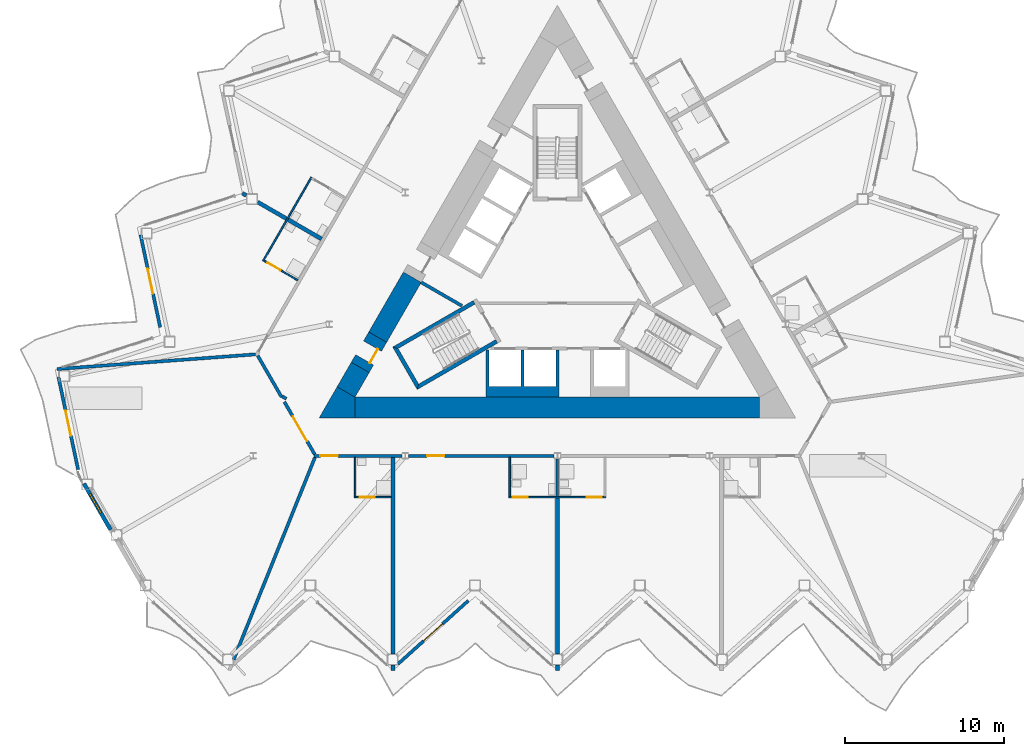
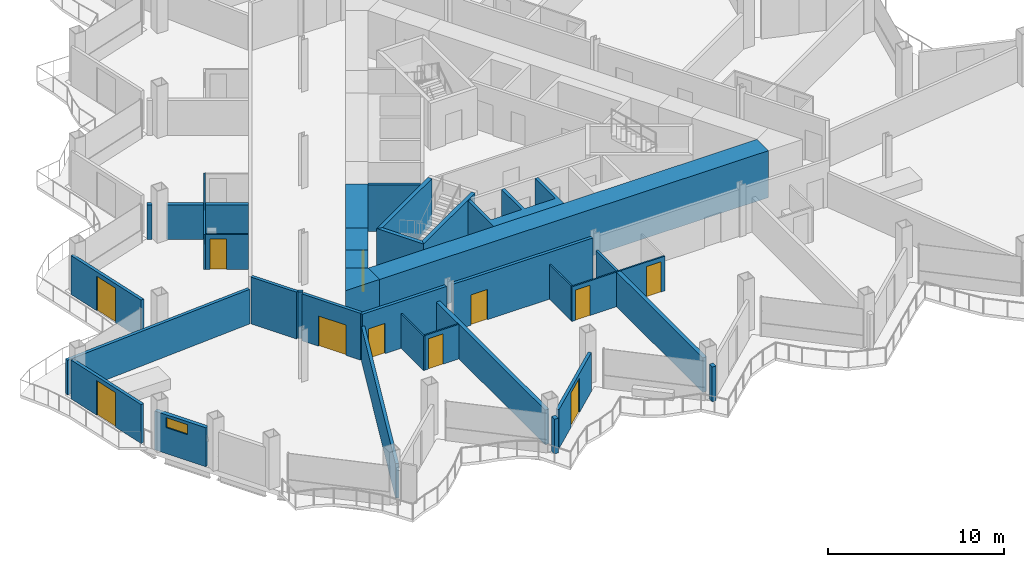
# One storey, part 11 of 24: 34 walls, 11 doors, 1 window, 12 openings.
"""IFC4 building model written with IfcOpenShell, lengths in metres."""

from ifc_helpers import new_model, si_unit, direction, frame, frame_2d, origin, place, context, subcontext, project, spatial, polyline, rectangle, outline, extrude, material, layer, layer_set, type_object, element, fill, save


model = new_model("IFC4")

# Units and contexts
model_context = context("Model", 3, precision=1e-05, world=origin(), true_north=direction((0.0, 1.0)))
body_context = subcontext(model_context, "Body", "Model", "MODEL_VIEW")
ifc_project = project(units=[si_unit("LENGTHUNIT", "METRE"), si_unit("AREAUNIT", "SQUARE_METRE"), si_unit("VOLUMEUNIT", "CUBIC_METRE"), si_unit("PLANEANGLEUNIT", "RADIAN"), si_unit("MASSUNIT", "GRAM", prefix="KILO")], contexts=[model_context])

# Site, building, storey
site_placement = place(None, origin())
site = spatial("IfcSite", under=ifc_project, at=site_placement, CompositionType="ELEMENT")
building_placement = place(site_placement, origin())
building = spatial("IfcBuilding", under=site, at=building_placement, Name="Cormorant Prow Tower", CompositionType="ELEMENT")
storey_placement = place(building_placement, frame((0.0, 0.0, 234.60009765625)))
storey = spatial("IfcBuildingStorey", under=building, at=storey_placement, Name="L51", CompositionType="ELEMENT", Elevation=234.60009765625)

# Walls
ifc_material_1 = material(Name="Concrete 8000 psi", Category="concrete")
ifc_layer_1 = layer(ifc_material_1, 1.300048828125)
ifc_layer_set_1 = layer_set([ifc_layer_1], Name="Concrete 8000 psi")
wall_type_1 = type_object("IfcWallType", Name="Core shear wall 1300", PredefinedType="SHEAR", material=ifc_layer_set_1)
wall_1_placement = place(storey_placement, frame((-12.748291015625, -8.01025390625, 0.0), z_axis=(0.0, 0.0, 1.0), x_axis=(1.0, 0.0, 0.0)))
element("IfcWall", 1, at=wall_1_placement, inside=storey, type_object=wall_type_1, Name="Core wall", PredefinedType="SHEAR", context=body_context, shape_type="SweptSolid", body=[
    extrude(rectangle(XDim=25.49658203125, YDim=1.300048828125, at=frame_2d((12.748291015625, 0.0))), origin(), (0.0, 0.0, 1.0), 3.25),
])
wall_2_placement = place(storey_placement, frame((-9.13720703125, 0.194580078125, 0.0), z_axis=(0.0, 0.0, 1.0), x_axis=(-0.499985697398, -0.866033661238, 0.0)))
element("IfcWall", 2, at=wall_2_placement, inside=storey, type_object=wall_type_1, Name="Core wall", PredefinedType="SHEAR", context=body_context, shape_type="SweptSolid", body=[
    extrude(rectangle(XDim=4.362060546875, YDim=1.300048828125, at=frame_2d((2.18115234375, 0.0))), origin(), (0.0, 0.0, 1.0), 3.25),
])
wall_3_placement = place(storey_placement, frame((-12.418212890625, -5.48828125, 0.0), z_axis=(0.0, 0.0, 1.0), x_axis=(-0.499931460552, -0.866064971437, 0.0)))
element("IfcWall", 3, at=wall_3_placement, inside=storey, type_object=wall_type_1, Name="Core wall", PredefinedType="SHEAR", context=body_context, shape_type="SweptSolid", body=[
    extrude(rectangle(XDim=1.786376953125, YDim=1.300048828125, at=frame_2d((0.89306640625, 0.0))), origin(), (0.0, 0.0, 1.0), 3.25),
])
wall_4_placement = place(storey_placement, origin())
element("IfcWall", 4, at=wall_4_placement, inside=storey, type_object=wall_type_1, Name="Core wall corner", PredefinedType="SHEAR", context=body_context, shape_type="SweptSolid", body=[
    extrude(outline(polyline([(-13.874267578125, -6.710205078125), (-12.748291015625, -7.3603515625), (-12.748291015625, -8.660400390625), (-15.0, -8.660400390625), (-13.874267578125, -6.710205078125)])), origin(), (0.0, 0.0, 1.0), 3.25),
])

# Wall, opening, door
wall_5_placement = place(storey_placement, frame((-11.318115234375, -3.5830078125, 0.0), z_axis=(0.0, 0.0, 1.0), x_axis=(-0.50002983664, -0.866008176907, 0.0)))
wall_5 = element("IfcWall", 5, at=wall_5_placement, inside=storey, type_object=wall_type_1, Name="Core wall door panel", PredefinedType="SHEAR", context=body_context, shape_type="SweptSolid", body=[
    extrude(rectangle(XDim=2.199951171875, YDim=1.300048828125, at=frame_2d((1.10009765625, 0.0))), origin(), (0.0, 0.0, 1.0), 3.25),
])
opening_1_placement = place(wall_5_placement, frame((0.64990234375, 0.0, 0.0)))
opening_1 = element("IfcOpeningElement", 6, at=opening_1_placement, cuts=wall_5, Name="Opening L51-C14", PredefinedType="OPENING", context=body_context, shape_type="SweptSolid", body=[
    extrude(rectangle(XDim=1.0, YDim=2.10009765625, at=frame_2d((0.5, 1.050048828125))), frame((0.0, 0.659912109375, 0.0), z_axis=(0.0, -1.0, 0.0), x_axis=(1.0, 0.0, 0.0)), (0.0, 0.0, 1.0), 1.320068359375),
])
ifc_material_2 = material(Name="Painted steel", Category="steel")
door_type_1 = type_object("IfcDoorType", Name="Service door 1000x2100", OperationType="NOTDEFINED", PredefinedType="DOOR", material=ifc_material_2)
door_1_placement = place(opening_1_placement, origin())
door_1 = element("IfcDoor", 7, at=door_1_placement, inside=storey, type_object=door_type_1, Name="Core door, Housekeeping store", OperationType="SINGLE_SWING_LEFT", OverallHeight=2.10009765625, OverallWidth=1.0, PredefinedType="DOOR", context=body_context, shape_type="SweptSolid", body=[
    extrude(rectangle(XDim=1.0, YDim=2.10009765625, at=frame_2d((0.5, 1.050048828125))), frame((0.0, 0.40478515625, 0.0), z_axis=(0.0, -1.0, 0.0), x_axis=(1.0, 0.0, 0.0)), (0.0, 0.0, 1.0), 0.050048828125),
])
fill(opening_1, door_1)

ifc_material_3 = material(Name="Gypsum board corridor wall")
ifc_layer_2 = layer(ifc_material_3, 0.199951171875)
ifc_layer_set_2 = layer_set([ifc_layer_2], Name="Gypsum board corridor wall")
wall_type_2 = type_object("IfcWallType", Name="Corridor wall 200", PredefinedType="PARTITIONING", material=ifc_layer_set_2)
wall_6_placement = place(storey_placement, frame((-9.368896484375, -11.060302734375, 0.0), z_axis=(0.0, 0.0, 1.0), x_axis=(1.0, 0.0, 0.0)))
wall_6 = element("IfcWall", 8, at=wall_6_placement, inside=storey, type_object=wall_type_2, Name="Corridor wall", PredefinedType="PARTITIONING", context=body_context, shape_type="SweptSolid", body=[
    extrude(rectangle(XDim=9.159423828125, YDim=0.199951171875, at=frame_2d((4.57958984375, 0.0))), origin(), (0.0, 0.0, 1.0), 3.25),
])
opening_2_placement = place(wall_6_placement, frame((1.1572265625, 0.0, 0.0)))
opening_2 = element("IfcOpeningElement", 9, at=opening_2_placement, cuts=wall_6, Name="Opening L51-F03", PredefinedType="OPENING", context=body_context, shape_type="SweptSolid", body=[
    extrude(rectangle(XDim=1.10009765625, YDim=2.10009765625, at=frame_2d((0.550048828125, 1.050048828125))), frame((0.0, 0.10986328125, 0.0), z_axis=(0.0, -1.0, 0.0), x_axis=(1.0, 0.0, 0.0)), (0.0, 0.0, 1.0), 0.219970703125),
])
ifc_material_4 = material(Name="Timber door leaf", Category="wood")
door_type_2 = type_object("IfcDoorType", Name="Suite entrance door 1100x2100", OperationType="NOTDEFINED", PredefinedType="DOOR", material=ifc_material_4)
door_2_placement = place(opening_2_placement, origin())
door_2 = element("IfcDoor", 10, at=door_2_placement, inside=storey, type_object=door_type_2, Name="Junior suite door", OperationType="SINGLE_SWING_LEFT", OverallHeight=2.10009765625, OverallWidth=1.10009765625, PredefinedType="DOOR", context=body_context, shape_type="SweptSolid", body=[
    extrude(rectangle(XDim=1.10009765625, YDim=2.10009765625, at=frame_2d((0.550048828125, 1.050048828125))), frame((0.0, 0.02490234375, 0.0), z_axis=(0.0, -1.0, 0.0), x_axis=(1.0, 0.0, 0.0)), (0.0, 0.0, 1.0), 0.050048828125),
])
fill(opening_2, door_2)

wall_7_placement = place(storey_placement, frame((-15.330810546875, -11.060302734375, 0.0), z_axis=(0.0, 0.0, 1.0), x_axis=(1.0, 0.0, 0.0)))
wall_7 = element("IfcWall", 11, at=wall_7_placement, inside=storey, type_object=wall_type_2, Name="Corridor wall", PredefinedType="PARTITIONING", context=body_context, shape_type="SweptSolid", body=[
    extrude(rectangle(XDim=5.542724609375, YDim=0.199951171875, at=frame_2d((2.771484375, 0.0))), origin(), (0.0, 0.0, 1.0), 3.25),
])
opening_3_placement = place(wall_7_placement, frame((0.403076171875, 0.0, 0.0)))
opening_3 = element("IfcOpeningElement", 12, at=opening_3_placement, cuts=wall_7, Name="Opening L51-F01", PredefinedType="OPENING", context=body_context, shape_type="SweptSolid", body=[
    extrude(rectangle(XDim=1.10009765625, YDim=2.10009765625, at=frame_2d((0.550048828125, 1.050048828125))), frame((0.0, 0.10986328125, 0.0), z_axis=(0.0, -1.0, 0.0), x_axis=(1.0, 0.0, 0.0)), (0.0, 0.0, 1.0), 0.219970703125),
])
door_3_placement = place(opening_3_placement, origin())
door_3 = element("IfcDoor", 13, at=door_3_placement, inside=storey, type_object=door_type_2, Name="Junior suite door", OperationType="SINGLE_SWING_LEFT", OverallHeight=2.10009765625, OverallWidth=1.10009765625, PredefinedType="DOOR", context=body_context, shape_type="SweptSolid", body=[
    extrude(rectangle(XDim=1.10009765625, YDim=2.10009765625, at=frame_2d((0.550048828125, 1.050048828125))), frame((0.0, 0.02490234375, 0.0), z_axis=(0.0, -1.0, 0.0), x_axis=(1.0, 0.0, 0.0)), (0.0, 0.0, 1.0), 0.050048828125),
])
fill(opening_3, door_3)

wall_8_placement = place(storey_placement, frame((-17.19384765625, -7.660400390625, 0.0), z_axis=(0.0, 0.0, 1.0), x_axis=(0.499989446428, -0.866031496806, 0.0)))
wall_8 = element("IfcWall", 14, at=wall_8_placement, inside=storey, type_object=wall_type_2, Name="Corridor wall", PredefinedType="PARTITIONING", context=body_context, shape_type="SweptSolid", body=[
    extrude(rectangle(XDim=3.82568359375, YDim=0.199951171875, at=frame_2d((1.912841796875, 0.0))), origin(), (0.0, 0.0, 1.0), 3.25),
])
opening_4_placement = place(wall_8_placement, frame((1.06396484375, 0.0, 0.0)))
opening_4 = element("IfcOpeningElement", 15, at=opening_4_placement, cuts=wall_8, Name="Opening L51-F26", PredefinedType="OPENING", context=body_context, shape_type="SweptSolid", body=[
    extrude(rectangle(XDim=1.800048828125, YDim=2.10009765625, at=frame_2d((0.89990234375, 1.050048828125))), frame((0.0, 0.10986328125, 0.0), z_axis=(0.0, -1.0, 0.0), x_axis=(1.0, 0.0, 0.0)), (0.0, 0.0, 1.0), 0.219970703125),
])
ifc_material_5 = material(Name="Timber door leaf", Category="wood")
door_type_3 = type_object("IfcDoorType", Name="Double door 1800x2100", OperationType="DOUBLE_DOOR_SINGLE_SWING", PredefinedType="DOOR", material=ifc_material_5)
door_4_placement = place(opening_4_placement, origin())
door_4 = element("IfcDoor", 16, at=door_4_placement, inside=storey, type_object=door_type_3, Name="Co-working space door", OperationType="DOUBLE_DOOR_SINGLE_SWING", OverallHeight=2.10009765625, OverallWidth=1.800048828125, PredefinedType="DOOR", context=body_context, shape_type="SweptSolid", body=[
    extrude(rectangle(XDim=1.800048828125, YDim=2.10009765625, at=frame_2d((0.89990234375, 1.050048828125))), frame((0.0, 0.02490234375, 0.0), z_axis=(0.0, -1.0, 0.0), x_axis=(1.0, 0.0, 0.0)), (0.0, 0.0, 1.0), 0.050048828125),
])
fill(opening_4, door_4)

# Walls
wall_9_placement = place(storey_placement, frame((-18.8759765625, -4.746826171875, 0.0), z_axis=(0.0, 0.0, 1.0), x_axis=(0.499952404951, -0.866052881055, 0.0)))
element("IfcWall", 17, at=wall_9_placement, inside=storey, type_object=wall_type_2, Name="Corridor wall", PredefinedType="PARTITIONING", context=body_context, shape_type="SweptSolid", body=[
    extrude(rectangle(XDim=3.002197265625, YDim=0.199951171875, at=frame_2d((1.5009765625, 0.0))), origin(), (0.0, 0.0, 1.0), 3.25),
])
wall_10_placement = place(storey_placement, frame((-17.33837890625, -7.310302734375, 0.0), z_axis=(0.0, 0.0, 1.0), x_axis=(0.866054481515, -0.499949632511, 0.0)))
element("IfcWall", 18, at=wall_10_placement, inside=storey, type_object=wall_type_2, Name="Corridor wall", PredefinedType="PARTITIONING", context=body_context, shape_type="SweptSolid", body=[
    extrude(rectangle(XDim=0.31005859375, YDim=0.199951171875, at=frame_2d((0.155029296875, 0.0))), origin(), (0.0, 0.0, 1.0), 3.25),
])
ifc_material_6 = material(Name="Gypsum board demising wall")
ifc_layer_3 = layer(ifc_material_6, 0.199951171875)
ifc_layer_set_3 = layer_set([ifc_layer_3], Name="Gypsum board demising wall")
wall_type_3 = type_object("IfcWallType", Name="Demising wall 200", PredefinedType="PARTITIONING", material=ifc_layer_set_3)
wall_11_placement = place(storey_placement, frame((-20.39306640625, -23.89697265625, 0.0), z_axis=(0.0, 0.0, 1.0), x_axis=(0.373096979113, 0.927792349708, 0.0)))
element("IfcWall", 19, at=wall_11_placement, inside=storey, type_object=wall_type_3, Name="Demising wall", PredefinedType="PARTITIONING", context=body_context, shape_type="SweptSolid", body=[
    extrude(rectangle(XDim=13.73583984375, YDim=0.199951171875, at=frame_2d((6.867919921875, 0.0))), origin(), (0.0, 0.0, 1.0), 2.404052734375),
])
wall_12_placement = place(storey_placement, frame((-31.51806640625, -5.589599609375, 0.0), z_axis=(0.0, 0.0, 1.0), x_axis=(0.99728681237, 0.073613951618, 0.0)))
element("IfcWall", 20, at=wall_12_placement, inside=storey, type_object=wall_type_3, Name="Demising wall", PredefinedType="PARTITIONING", context=body_context, shape_type="SweptSolid", body=[
    extrude(rectangle(XDim=12.5263671875, YDim=0.199951171875, at=frame_2d((6.26318359375, 0.0))), origin(), (0.0, 0.0, 1.0), 2.404052734375),
])

# Wall, openings, doors
ifc_material_7 = material(Name="Gypsum board partition")
ifc_layer_4 = layer(ifc_material_7, 0.10009765625)
ifc_layer_set_4 = layer_set([ifc_layer_4], Name="Gypsum board partition")
wall_type_4 = type_object("IfcWallType", Name="Internal partition 100", PredefinedType="PARTITIONING", material=ifc_layer_set_4)
wall_13_placement = place(storey_placement, frame((-3.050048828125, -13.660400390625, 0.0), z_axis=(0.0, 0.0, 1.0), x_axis=(1.0, 0.0, 0.0)))
wall_13 = element("IfcWall", 21, at=wall_13_placement, inside=storey, type_object=wall_type_4, Name="Internal partition", PredefinedType="PARTITIONING", context=body_context, shape_type="SweptSolid", body=[
    extrude(rectangle(XDim=6.10009765625, YDim=0.10009765625, at=frame_2d((3.050048828125, 0.0))), origin(), (0.0, 0.0, 1.0), 2.404052734375),
])
opening_5_placement = place(wall_13_placement, frame((0.25, 0.0, 0.0)))
opening_5 = element("IfcOpeningElement", 22, at=opening_5_placement, cuts=wall_13, Name="Opening L51-F04", PredefinedType="OPENING", context=body_context, shape_type="SweptSolid", body=[
    extrude(rectangle(XDim=0.949951171875, YDim=2.10009765625, at=frame_2d((0.47509765625, 1.050048828125))), frame((0.0, 0.06005859375, 0.0), z_axis=(0.0, -1.0, 0.0), x_axis=(1.0, 0.0, 0.0)), (0.0, 0.0, 1.0), 0.1201171875),
])
opening_6_placement = place(wall_13_placement, frame((4.89990234375, 0.0, 0.0)))
opening_6 = element("IfcOpeningElement", 23, at=opening_6_placement, cuts=wall_13, Name="Opening L51-F06", PredefinedType="OPENING", context=body_context, shape_type="SweptSolid", body=[
    extrude(rectangle(XDim=0.949951171875, YDim=2.10009765625, at=frame_2d((0.47509765625, 1.050048828125))), frame((0.0, 0.06005859375, 0.0), z_axis=(0.0, -1.0, 0.0), x_axis=(1.0, 0.0, 0.0)), (0.0, 0.0, 1.0), 0.1201171875),
])
ifc_material_8 = material(Name="Timber door leaf", Category="wood")
door_type_4 = type_object("IfcDoorType", Name="Bathroom door 950x2100", OperationType="NOTDEFINED", PredefinedType="DOOR", material=ifc_material_8)
door_5_placement = place(opening_5_placement, origin())
door_5 = element("IfcDoor", 24, at=door_5_placement, inside=storey, type_object=door_type_4, Name="Junior suite door", OperationType="SINGLE_SWING_LEFT", OverallHeight=2.10009765625, OverallWidth=0.949951171875, PredefinedType="DOOR", context=body_context, shape_type="SweptSolid", body=[
    extrude(rectangle(XDim=0.949951171875, YDim=2.10009765625, at=frame_2d((0.47509765625, 1.050048828125))), frame((0.0, 0.02490234375, 0.0), z_axis=(0.0, -1.0, 0.0), x_axis=(1.0, 0.0, 0.0)), (0.0, 0.0, 1.0), 0.050048828125),
])
fill(opening_5, door_5)
door_6_placement = place(opening_6_placement, origin())
door_6 = element("IfcDoor", 25, at=door_6_placement, inside=storey, type_object=door_type_4, Name="Junior suite door", OperationType="SINGLE_SWING_RIGHT", OverallHeight=2.10009765625, OverallWidth=0.949951171875, PredefinedType="DOOR", context=body_context, shape_type="SweptSolid", body=[
    extrude(rectangle(XDim=0.949951171875, YDim=2.10009765625, at=frame_2d((0.47509765625, 1.050048828125))), frame((0.0, 0.02490234375, 0.0), z_axis=(0.0, -1.0, 0.0), x_axis=(1.0, 0.0, 0.0)), (0.0, 0.0, 1.0), 0.050048828125),
])
fill(opening_6, door_6)

# Wall
wall_14_placement = place(storey_placement, frame((-18.539306640625, 1.209716796875, 0.0), z_axis=(0.0, 0.0, 1.0), x_axis=(0.500008851346, 0.866020293397, 0.0)))
element("IfcWall", 26, at=wall_14_placement, inside=storey, type_object=wall_type_4, Name="Internal partition", PredefinedType="PARTITIONING", context=body_context, shape_type="SweptSolid", body=[
    extrude(rectangle(XDim=6.10009765625, YDim=0.10009765625, at=frame_2d((3.050048828125, 0.0))), origin(), (0.0, 0.0, 1.0), 2.404052734375),
])

# Wall, opening, door
wall_15_placement = place(storey_placement, frame((-18.470947265625, 1.22802734375, 0.0), z_axis=(0.0, 0.0, 1.0), x_axis=(0.866057815567, -0.499943856944, 0.0)))
wall_15 = element("IfcWall", 27, at=wall_15_placement, inside=storey, type_object=wall_type_4, Name="Internal partition", PredefinedType="PARTITIONING", context=body_context, shape_type="SweptSolid", body=[
    extrude(rectangle(XDim=2.449951171875, YDim=0.10009765625, at=frame_2d((1.22509765625, 0.0))), origin(), (0.0, 0.0, 1.0), 2.404052734375),
])
opening_7_placement = place(wall_15_placement, frame((0.25, 0.0, 0.0)))
opening_7 = element("IfcOpeningElement", 28, at=opening_7_placement, cuts=wall_15, Name="Opening L51-F25", PredefinedType="OPENING", context=body_context, shape_type="SweptSolid", body=[
    extrude(rectangle(XDim=0.949951171875, YDim=2.10009765625, at=frame_2d((0.47509765625, 1.050048828125))), frame((0.0, 0.06005859375, 0.0), z_axis=(0.0, -1.0, 0.0), x_axis=(1.0, 0.0, 0.0)), (0.0, 0.0, 1.0), 0.1201171875),
])
door_7_placement = place(opening_7_placement, origin())
door_7 = element("IfcDoor", 29, at=door_7_placement, inside=storey, type_object=door_type_4, Name="Executive suite bedroom door", OperationType="SINGLE_SWING_LEFT", OverallHeight=2.10009765625, OverallWidth=0.949951171875, PredefinedType="DOOR", context=body_context, shape_type="SweptSolid", body=[
    extrude(rectangle(XDim=0.949951171875, YDim=2.10009765625, at=frame_2d((0.47509765625, 1.050048828125))), frame((0.0, 0.02490234375, 0.0), z_axis=(0.0, -1.0, 0.0), x_axis=(1.0, 0.0, 0.0)), (0.0, 0.0, 1.0), 0.050048828125),
])
fill(opening_7, door_7)

# Walls
wall_16_placement = place(storey_placement, frame((-12.743896484375, -13.710205078125, 0.0), z_axis=(0.0, 0.0, 1.0), x_axis=(0.0, 1.0, 0.0)))
element("IfcWall", 30, at=wall_16_placement, inside=storey, type_object=wall_type_4, Name="Internal partition", PredefinedType="PARTITIONING", context=body_context, shape_type="SweptSolid", body=[
    extrude(rectangle(XDim=2.5498046875, YDim=0.10009765625, at=frame_2d((1.27490234375, 0.0))), origin(), (0.0, 0.0, 1.0), 2.404052734375),
])
wall_17_placement = place(storey_placement, frame((-3.0, -13.6103515625, 0.0), z_axis=(0.0, 0.0, 1.0), x_axis=(0.0, 1.0, 0.0)))
element("IfcWall", 31, at=wall_17_placement, inside=storey, type_object=wall_type_4, Name="Internal partition", PredefinedType="PARTITIONING", context=body_context, shape_type="SweptSolid", body=[
    extrude(rectangle(XDim=2.449951171875, YDim=0.10009765625, at=frame_2d((1.22509765625, 0.0))), origin(), (0.0, 0.0, 1.0), 2.404052734375),
])

# Wall, opening, door
wall_18_placement = place(storey_placement, frame((-12.69384765625, -13.660400390625, 0.0), z_axis=(0.0, 0.0, 1.0), x_axis=(1.0, 0.0, 0.0)))
wall_18 = element("IfcWall", 32, at=wall_18_placement, inside=storey, type_object=wall_type_4, Name="Internal partition", PredefinedType="PARTITIONING", context=body_context, shape_type="SweptSolid", body=[
    extrude(rectangle(XDim=2.22509765625, YDim=0.10009765625, at=frame_2d((1.112548828125, 0.0))), origin(), (0.0, 0.0, 1.0), 2.404052734375),
])
opening_8_placement = place(wall_18_placement, frame((0.25, 0.0, 0.0)))
opening_8 = element("IfcOpeningElement", 33, at=opening_8_placement, cuts=wall_18, Name="Opening L51-F02", PredefinedType="OPENING", context=body_context, shape_type="SweptSolid", body=[
    extrude(rectangle(XDim=0.949951171875, YDim=2.10009765625, at=frame_2d((0.47509765625, 1.050048828125))), frame((0.0, 0.06005859375, 0.0), z_axis=(0.0, -1.0, 0.0), x_axis=(1.0, 0.0, 0.0)), (0.0, 0.0, 1.0), 0.1201171875),
])
door_8_placement = place(opening_8_placement, origin())
door_8 = element("IfcDoor", 34, at=door_8_placement, inside=storey, type_object=door_type_4, Name="Junior suite door", OperationType="SINGLE_SWING_LEFT", OverallHeight=2.10009765625, OverallWidth=0.949951171875, PredefinedType="DOOR", context=body_context, shape_type="SweptSolid", body=[
    extrude(rectangle(XDim=0.949951171875, YDim=2.10009765625, at=frame_2d((0.47509765625, 1.050048828125))), frame((0.0, 0.02490234375, 0.0), z_axis=(0.0, -1.0, 0.0), x_axis=(1.0, 0.0, 0.0)), (0.0, 0.0, 1.0), 0.050048828125),
])
fill(opening_8, door_8)

# Walls
ifc_material_9 = material(Name="Concrete 8000 psi", Category="concrete")
ifc_layer_5 = layer(ifc_material_9, 0.199951171875)
ifc_layer_set_5 = layer_set([ifc_layer_5], Name="Concrete 8000 psi")
wall_type_5 = type_object("IfcWallType", Name="Lift shaft wall 200", PredefinedType="SHEAR", material=ifc_layer_set_5)
wall_19_placement = place(storey_placement, origin())
element("IfcWall", 35, at=wall_19_placement, inside=storey, type_object=wall_type_5, Name="Lift shaft walls, S block", PredefinedType="SHEAR", context=body_context, shape_type="SweptSolid", body=[
    extrude(outline(polyline([(0.10009765625, -7.3603515625), (-4.5, -7.3603515625), (-4.5, -4.39990234375), (-4.300048828125, -4.39990234375), (-4.300048828125, -6.699951171875), (-2.300048828125, -6.699951171875), (-2.300048828125, -4.39990234375), (-2.10009765625, -4.39990234375), (-2.10009765625, -6.699951171875), (-0.10009765625, -6.699951171875), (-0.10009765625, -4.39990234375), (0.10009765625, -4.39990234375), (0.10009765625, -7.3603515625)])), origin(), (0.0, 0.0, 1.0), 3.25),
])
wall_20_placement = place(storey_placement, origin())
element("IfcWall", 36, at=wall_20_placement, inside=storey, type_object=wall_type_5, Name="Lift shaft walls, WNW block", PredefinedType="SHEAR", context=body_context, shape_type="SweptSolid", body=[
    extrude(outline(polyline([(-8.524169921875, -0.043701171875), (-8.130859375, -0.27099609375), (-5.96044921875, -1.52392578125), (-6.060546875, -1.697021484375), (-8.230712890625, -0.444091796875), (-8.624267578125, -0.217041015625), (-8.524169921875, -0.043701171875)])), origin(), (0.0, 0.0, 1.0), 3.25),
])
ifc_material_10 = material(Name="Concrete 8000 psi", Category="concrete")
ifc_layer_6 = layer(ifc_material_10, 0.25)
ifc_layer_set_6 = layer_set([ifc_layer_6], Name="Concrete 8000 psi")
wall_type_6 = type_object("IfcWallType", Name="Stair wall 250", PredefinedType="SHEAR", material=ifc_layer_set_6)
wall_21_placement = place(storey_placement, origin())
element("IfcWall", 37, at=wall_21_placement, inside=storey, type_object=wall_type_6, Name="Stair ST1 enclosure wall (flank)", PredefinedType="SHEAR", context=body_context, shape_type="SweptSolid", body=[
    extrude(outline(polyline([(-5.30712890625, -1.28125), (-10.37353515625, -4.206298828125), (-10.031982421875, -4.2978515625), (-5.18212890625, -1.497802734375), (-5.30712890625, -1.28125)])), origin(), (0.0, 0.0, 1.0), 3.25),
])
wall_22_placement = place(storey_placement, origin())
element("IfcWall", 38, at=wall_22_placement, inside=storey, type_object=wall_type_6, Name="Stair ST1 enclosure wall (end)", PredefinedType="SHEAR", context=body_context, shape_type="SweptSolid", body=[
    extrude(outline(polyline([(-10.37353515625, -4.206298828125), (-8.82958984375, -6.880615234375), (-8.738037109375, -6.5390625), (-10.031982421875, -4.2978515625), (-10.37353515625, -4.206298828125)])), origin(), (0.0, 0.0, 1.0), 3.25),
])
wall_23_placement = place(storey_placement, origin())
element("IfcWall", 39, at=wall_23_placement, inside=storey, type_object=wall_type_6, Name="Stair ST1 enclosure wall (flank)", PredefinedType="SHEAR", context=body_context, shape_type="SweptSolid", body=[
    extrude(outline(polyline([(-8.738037109375, -6.5390625), (-8.82958984375, -6.880615234375), (-3.76318359375, -3.95556640625), (-3.88818359375, -3.739013671875), (-8.738037109375, -6.5390625)])), origin(), (0.0, 0.0, 1.0), 3.25),
])
ifc_material_11 = material(Name="Acoustic gypsum party wall")
ifc_layer_7 = layer(ifc_material_11, 0.25)
ifc_layer_set_7 = layer_set([ifc_layer_7], Name="Acoustic gypsum party wall")
wall_type_7 = type_object("IfcWallType", Name="Suite party wall 250", PredefinedType="PARTITIONING", material=ifc_layer_set_7)
wall_24_placement = place(storey_placement, frame((-10.34375, -23.52685546875, 0.0), z_axis=(0.0, 0.0, 1.0), x_axis=(0.0, 1.0, 0.0)))
element("IfcWall", 40, at=wall_24_placement, inside=storey, type_object=wall_type_7, Name="Suite party wall", PredefinedType="PARTITIONING", context=body_context, shape_type="SweptSolid", body=[
    extrude(rectangle(XDim=12.366455078125, YDim=0.25, at=frame_2d((6.18310546875, 0.0))), origin(), (0.0, 0.0, 1.0), 2.404052734375),
])
wall_25_placement = place(storey_placement, frame((0.0, -23.52685546875, 0.0), z_axis=(0.0, 0.0, 1.0), x_axis=(0.0, 1.0, 0.0)))
element("IfcWall", 41, at=wall_25_placement, inside=storey, type_object=wall_type_7, Name="Suite party wall", PredefinedType="PARTITIONING", context=body_context, shape_type="SweptSolid", body=[
    extrude(rectangle(XDim=9.816650390625, YDim=0.25, at=frame_2d((4.908203125, 0.0))), origin(), (0.0, 0.0, 1.0), 2.404052734375),
])
wall_26_placement = place(storey_placement, frame((-18.875, 4.925537109375, 0.0), z_axis=(0.0, 0.0, 1.0), x_axis=(0.866014168242, -0.500019460026, 0.0)))
element("IfcWall", 42, at=wall_26_placement, inside=storey, type_object=wall_type_7, Name="Suite party wall", PredefinedType="PARTITIONING", context=body_context, shape_type="SweptSolid", body=[
    extrude(rectangle(XDim=4.648681640625, YDim=0.25, at=frame_2d((2.32421875, 0.0))), origin(), (0.0, 0.0, 1.0), 2.404052734375),
])
for number, where, z_axis, x_axis, name in (
    (43, (-10.34375, -24.57958984375, 0.0), (0.0, 0.0, 1.0), (0.0, 1.0, 0.0), "Suite party wall"),
    (44, (0.0, -24.57958984375, 0.0), (0.0, 0.0, 1.0), (0.0, 1.0, 0.0), "Suite party wall"),
):
    element("IfcWall", number, at=place(storey_placement, frame(where, z_axis=z_axis, x_axis=x_axis)), inside=storey, type_object=wall_type_7, Name=name, PredefinedType="PARTITIONING", context=body_context, shape_type="SweptSolid", body=[
        extrude(rectangle(XDim=0.332763671875, YDim=0.25, at=frame_2d((0.16650390625, 0.0))), origin(), (0.0, 0.0, 1.0), 2.404052734375),
    ])
wall_27_placement = place(storey_placement, frame((-19.839599609375, 5.482421875, 0.0), z_axis=(0.0, 0.0, 1.0), x_axis=(0.865998287773, -0.500046963369, 0.0)))
element("IfcWall", 45, at=wall_27_placement, inside=storey, type_object=wall_type_7, Name="Suite party wall", PredefinedType="PARTITIONING", context=body_context, shape_type="SweptSolid", body=[
    extrude(rectangle(XDim=0.2822265625, YDim=0.25, at=frame_2d((0.14111328125, 0.0))), origin(), (0.0, 0.0, 1.0), 2.404052734375),
])

# Wall, opening, window
ifc_material_12 = material(Name="Terracotta", Category="masonry")
ifc_layer_8 = layer(ifc_material_12, 0.25)
ifc_layer_set_8 = layer_set([ifc_layer_8], Name="Terracotta")
wall_type_8 = type_object("IfcWallType", Name="Terracotta bay wall 250", PredefinedType="SOLIDWALL", material=ifc_layer_set_8)
wall_28_placement = place(storey_placement, frame((-29.82470703125, -12.804931640625, 0.0), z_axis=(0.0, 0.0, 1.0), x_axis=(0.500003693016, -0.86602327161, 0.0)))
wall_28 = element("IfcWall", 46, at=wall_28_placement, inside=storey, type_object=wall_type_8, Name="Terracotta bay wall WSW00", PredefinedType="SOLIDWALL", context=body_context, shape_type="SweptSolid", body=[
    extrude(rectangle(XDim=3.3564453125, YDim=0.25, at=frame_2d((1.67822265625, 0.0))), origin(), (0.0, 0.0, 1.0), 2.70068359375),
])
opening_9_placement = place(wall_28_placement, frame((0.75, 0.0, 1.800048828125)))
opening_9 = element("IfcOpeningElement", 47, at=opening_9_placement, cuts=wall_28, Name="Opening WN4", PredefinedType="OPENING", context=body_context, shape_type="SweptSolid", body=[
    extrude(rectangle(XDim=1.39990234375, YDim=0.699951171875, at=frame_2d((0.699951171875, 0.35009765625))), frame((0.0, 0.135009765625, 0.0), z_axis=(0.0, -1.0, 0.0), x_axis=(1.0, 0.0, 0.0)), (0.0, 0.0, 1.0), 0.27001953125),
])
ifc_material_13 = material(Name="Aluminium 6063-T6", Category="aluminium")
window_type = type_object("IfcWindowType", Name="Corner bay window 1400x700", PartitioningType="SINGLE_PANEL", PredefinedType="WINDOW", material=ifc_material_13)
window_placement = place(opening_9_placement, origin())
window = element("IfcWindow", 48, at=window_placement, inside=storey, type_object=window_type, Name="Corner bay window WSW00", OverallHeight=0.699951171875, OverallWidth=1.39990234375, PartitioningType="SINGLE_PANEL", PredefinedType="WINDOW", context=body_context, shape_type="SweptSolid", body=[
    extrude(rectangle(XDim=1.39990234375, YDim=0.699951171875, at=frame_2d((0.699951171875, 0.35009765625))), frame((0.0, 0.030029296875, 0.0), z_axis=(0.0, -1.0, 0.0), x_axis=(1.0, 0.0, 0.0)), (0.0, 0.0, 1.0), 0.06005859375),
])
fill(opening_9, window)

# Wall, opening, door
ifc_material_14 = material(Name="Terracotta", Category="masonry")
ifc_layer_9 = layer(ifc_material_14, 0.199951171875)
ifc_layer_set_9 = layer_set([ifc_layer_9], Name="Terracotta")
wall_type_9 = type_object("IfcWallType", Name="Terracotta jamb wall 200", PredefinedType="SOLIDWALL", material=ifc_layer_set_9)
wall_29_placement = place(storey_placement, frame((-10.038330078125, -24.170166015625, 0.0), z_axis=(0.0, 0.0, 1.0), x_axis=(0.743143336638, 0.669132259878, 0.0)))
wall_29 = element("IfcWall", 49, at=wall_29_placement, inside=storey, type_object=wall_type_9, Name="Terracotta jamb wall S03", PredefinedType="SOLIDWALL", context=body_context, shape_type="SweptSolid", body=[
    extrude(rectangle(XDim=5.95751953125, YDim=0.199951171875, at=frame_2d((2.978759765625, 0.0))), origin(), (0.0, 0.0, 1.0), 2.70068359375),
])
opening_10_placement = place(wall_29_placement, frame((2.1787109375, 0.0, 0.0)))
opening_10 = element("IfcOpeningElement", 50, at=opening_10_placement, cuts=wall_29, Name="Opening ED51.02", PredefinedType="OPENING", context=body_context, shape_type="SweptSolid", body=[
    extrude(rectangle(XDim=1.60009765625, YDim=2.39990234375, at=frame_2d((0.800048828125, 1.199951171875))), frame((0.0, 0.10986328125, 0.0), z_axis=(0.0, -1.0, 0.0), x_axis=(1.0, 0.0, 0.0)), (0.0, 0.0, 1.0), 0.219970703125),
])
ifc_material_15 = material(Name="Aluminium 6063-T6", Category="aluminium")
door_type_5 = type_object("IfcDoorType", Name="Balcony door 1600x2400", OperationType="DOUBLE_DOOR_SINGLE_SWING", PredefinedType="DOOR", material=ifc_material_15)
door_9_placement = place(opening_10_placement, origin())
door_9 = element("IfcDoor", 51, at=door_9_placement, inside=storey, type_object=door_type_5, Name="Balcony door S03 ED51.02", OperationType="DOUBLE_DOOR_SINGLE_SWING", OverallHeight=2.39990234375, OverallWidth=1.60009765625, PredefinedType="DOOR", context=body_context, shape_type="SweptSolid", body=[
    extrude(rectangle(XDim=1.60009765625, YDim=2.39990234375, at=frame_2d((0.800048828125, 1.199951171875))), frame((0.0, 0.02490234375, 0.0), z_axis=(0.0, -1.0, 0.0), x_axis=(1.0, 0.0, 0.0)), (0.0, 0.0, 1.0), 0.050048828125),
])
fill(opening_10, door_9)

wall_30_placement = place(storey_placement, frame((-26.256591796875, 2.862548828125, 0.0), z_axis=(0.0, 0.0, 1.0), x_axis=(0.207930802022, -0.978143538327, 0.0)))
wall_30 = element("IfcWall", 52, at=wall_30_placement, inside=storey, type_object=wall_type_9, Name="Terracotta jamb wall WNW07", PredefinedType="SOLIDWALL", context=body_context, shape_type="SweptSolid", body=[
    extrude(rectangle(XDim=5.95751953125, YDim=0.199951171875, at=frame_2d((2.978759765625, 0.0))), origin(), (0.0, 0.0, 1.0), 2.70068359375),
])
opening_11_placement = place(wall_30_placement, frame((2.1787109375, 0.0, 0.0)))
opening_11 = element("IfcOpeningElement", 53, at=opening_11_placement, cuts=wall_30, Name="Opening ED51.14", PredefinedType="OPENING", context=body_context, shape_type="SweptSolid", body=[
    extrude(rectangle(XDim=1.60009765625, YDim=2.39990234375, at=frame_2d((0.800048828125, 1.199951171875))), frame((0.0, 0.10986328125, 0.0), z_axis=(0.0, -1.0, 0.0), x_axis=(1.0, 0.0, 0.0)), (0.0, 0.0, 1.0), 0.219970703125),
])
door_10_placement = place(opening_11_placement, origin())
door_10 = element("IfcDoor", 54, at=door_10_placement, inside=storey, type_object=door_type_5, Name="Balcony door WNW07 ED51.14", OperationType="DOUBLE_DOOR_SINGLE_SWING", OverallHeight=2.39990234375, OverallWidth=1.60009765625, PredefinedType="DOOR", context=body_context, shape_type="SweptSolid", body=[
    extrude(rectangle(XDim=1.60009765625, YDim=2.39990234375, at=frame_2d((0.800048828125, 1.199951171875))), frame((0.0, 0.02490234375, 0.0), z_axis=(0.0, -1.0, 0.0), x_axis=(1.0, 0.0, 0.0)), (0.0, 0.0, 1.0), 0.050048828125),
])
fill(opening_11, door_10)

wall_31_placement = place(storey_placement, frame((-31.428466796875, -6.095458984375, 0.0), z_axis=(0.0, 0.0, 1.0), x_axis=(0.207939137045, -0.978141766456, 0.0)))
wall_31 = element("IfcWall", 55, at=wall_31_placement, inside=storey, type_object=wall_type_9, Name="Terracotta jamb wall WNW09", PredefinedType="SOLIDWALL", context=body_context, shape_type="SweptSolid", body=[
    extrude(rectangle(XDim=5.957275390625, YDim=0.199951171875, at=frame_2d((2.978515625, 0.0))), origin(), (0.0, 0.0, 1.0), 2.70068359375),
])
opening_12_placement = place(wall_31_placement, frame((2.1787109375, 0.0, 0.0)))
opening_12 = element("IfcOpeningElement", 56, at=opening_12_placement, cuts=wall_31, Name="Opening ED51.15", PredefinedType="OPENING", context=body_context, shape_type="SweptSolid", body=[
    extrude(rectangle(XDim=1.60009765625, YDim=2.39990234375, at=frame_2d((0.800048828125, 1.199951171875))), frame((0.0, 0.10986328125, 0.0), z_axis=(0.0, -1.0, 0.0), x_axis=(1.0, 0.0, 0.0)), (0.0, 0.0, 1.0), 0.219970703125),
])
door_11_placement = place(opening_12_placement, origin())
door_11 = element("IfcDoor", 57, at=door_11_placement, inside=storey, type_object=door_type_5, Name="Balcony door WNW09 ED51.15", OperationType="DOUBLE_DOOR_SINGLE_SWING", OverallHeight=2.39990234375, OverallWidth=1.60009765625, PredefinedType="DOOR", context=body_context, shape_type="SweptSolid", body=[
    extrude(rectangle(XDim=1.60009765625, YDim=2.39990234375, at=frame_2d((0.800048828125, 1.199951171875))), frame((0.0, 0.02490234375, 0.0), z_axis=(0.0, -1.0, 0.0), x_axis=(1.0, 0.0, 0.0)), (0.0, 0.0, 1.0), 0.050048828125),
])
fill(opening_12, door_11)

# Wall
ifc_material_16 = material(Name="Plasterboard wet wall with pipe chase")
ifc_layer_10 = layer(ifc_material_16, 0.14990234375)
ifc_layer_set_10 = layer_set([ifc_layer_10], Name="Plasterboard wet wall with pipe chase")
wall_type_10 = type_object("IfcWallType", Name="Wet wall 150", PredefinedType="PLUMBINGWALL", material=ifc_layer_set_10)
wall_32_placement = place(storey_placement, frame((0.0, -13.6103515625, 0.0), z_axis=(0.0, 0.0, 1.0), x_axis=(0.0, 1.0, 0.0)))
element("IfcWall", 58, at=wall_32_placement, inside=storey, type_object=wall_type_10, Name="Wet wall", PredefinedType="PLUMBINGWALL", context=body_context, shape_type="SweptSolid", body=[
    extrude(rectangle(XDim=2.340576171875, YDim=0.14990234375, at=frame_2d((1.17041015625, 0.0))), origin(), (0.0, 0.0, 1.0), 2.404052734375),
])

save(model, "model.ifc")
